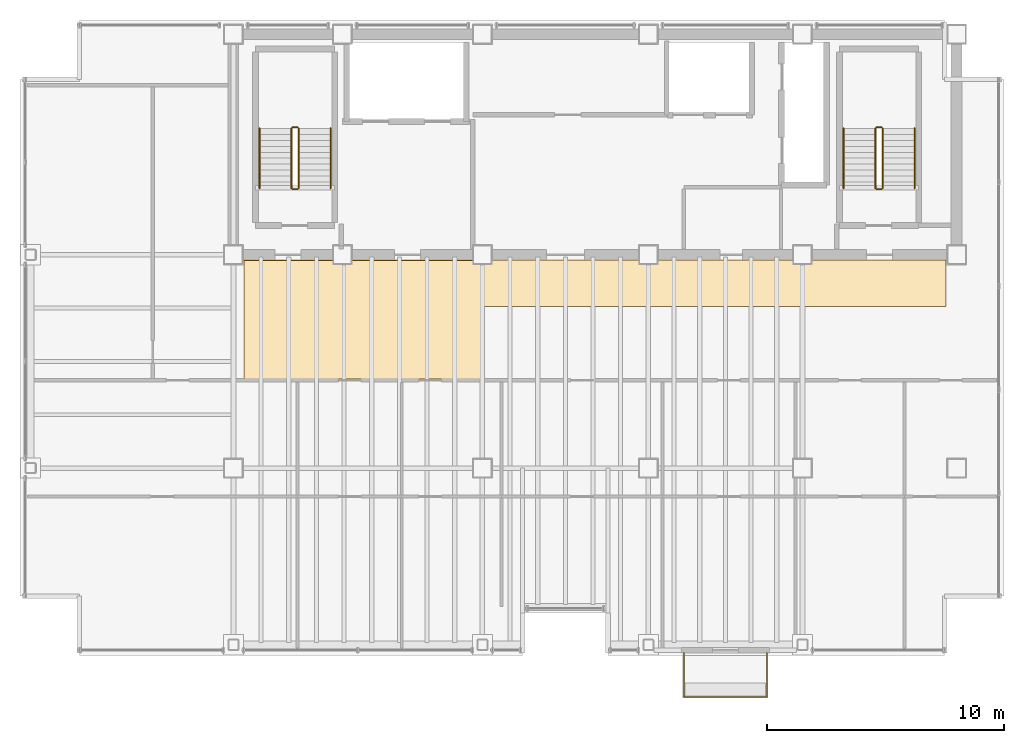
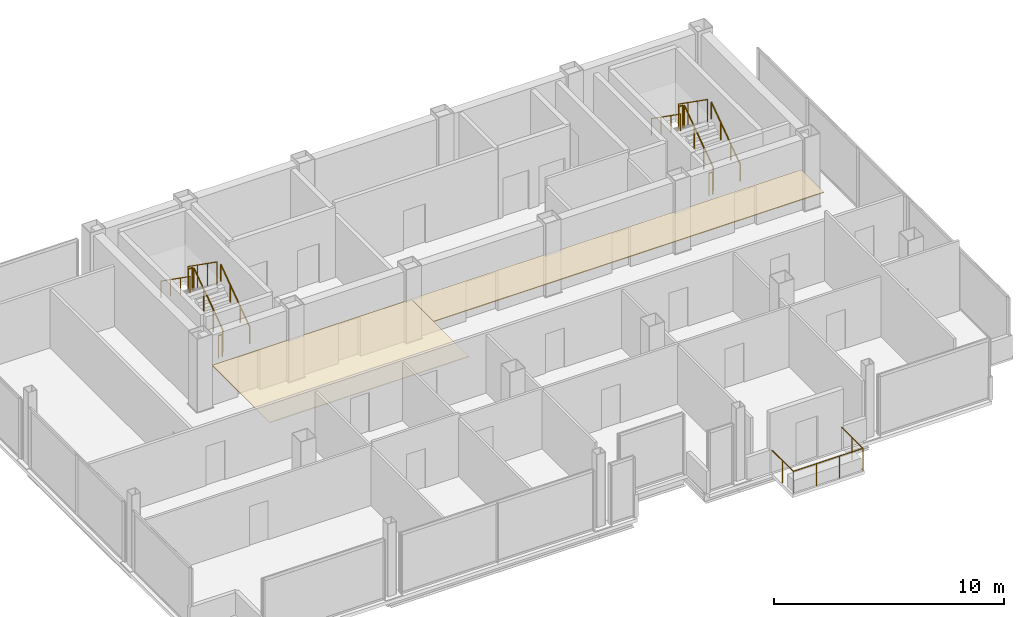
# One storey, part 17 of 17: 13 railings, 2 coverings.
"""IFC4 building model written with IfcOpenShell, lengths in metres."""

import ifcopenshell
import ifcopenshell.guid

model = None  # the IFC model being written
_history = None  # IfcOwnerHistory: only IFC2X3 demands one
_inside = {}  # id of a spatial element -> (the spatial element, [elements in it])
_under = {}  # id of a project, library or spatial element -> (it, [spatial elements below it])
_declared = {}  # id of a project -> (the project, [libraries it declares])
_typed = {}  # id of a type object -> (the type object, [elements of that type])
_made_of = {}  # id of a material, layer set ... -> (it, [elements and type objects made of it])


def new_model(schema):
    """Start an empty IFC model of exactly this schema.

    Asked for "IFC4X3", IfcOpenShell would pick the latest addendum, in which some entities
    have other attributes; the version numbers below select the first issue.
    IFC2X3 requires an IfcOwnerHistory on every rooted entity: one is made here for all.
    """
    global model, _history
    if schema == "IFC4X3":
        model = ifcopenshell.file(schema_version=(4, 3, 0, 0))
    else:
        model = ifcopenshell.file(schema=schema)
    _inside.clear()
    _under.clear()
    _declared.clear()
    _typed.clear()
    _made_of.clear()
    _history = None
    if model.schema == "IFC2X3":
        org = make("IfcOrganization", Name="unknown")
        user = make(
            "IfcPersonAndOrganization",
            ThePerson=make("IfcPerson", FamilyName="unknown"),
            TheOrganization=org,
        )
        app = make(
            "IfcApplication",
            ApplicationDeveloper=org,
            Version="unknown",
            ApplicationFullName="unknown",
            ApplicationIdentifier="unknown",
        )
        _history = make(
            "IfcOwnerHistory",
            OwningUser=user,
            OwningApplication=app,
            ChangeAction="ADDED",
            CreationDate=0,
        )
    return model


def make(cls, **values):
    """One entity of the class cls with the attributes given. An attribute that is None is left unset."""
    return model.create_entity(
        cls, **{name: value for name, value in values.items() if value is not None}
    )


def rooted(cls, **values):
    """An entity with a GlobalId (a new one), such as an element, a storey or a relation."""
    return make(cls, GlobalId=ifcopenshell.guid.new(), OwnerHistory=_history, **values)


def si_unit(unit_type, name, prefix=None):
    """IfcSIUnit, for example si_unit("LENGTHUNIT", "METRE", prefix="MILLI")."""
    return make("IfcSIUnit", UnitType=unit_type, Prefix=prefix, Name=name)


def assignment(units):
    """IfcUnitAssignment: the units of a project."""
    return None if units is None else make("IfcUnitAssignment", Units=units)


def point(xyz):
    """IfcCartesianPoint."""
    return None if xyz is None else make("IfcCartesianPoint", Coordinates=xyz)


def direction(xyz):
    """IfcDirection."""
    return None if xyz is None else make("IfcDirection", DirectionRatios=xyz)


def frame(location, z_axis=None, x_axis=None):
    """IfcAxis2Placement3D, a coordinate frame: its origin and axes. An axis left out is left unset."""
    return make(
        "IfcAxis2Placement3D",
        Location=point(location),
        Axis=direction(z_axis),
        RefDirection=direction(x_axis),
    )


def frame_2d(location, x_axis=None):
    """IfcAxis2Placement2D, a coordinate frame in the plane: its origin and x axis."""
    return make(
        "IfcAxis2Placement2D", Location=point(location), RefDirection=direction(x_axis)
    )


def origin():
    """The frame at (0, 0, 0) with its axes left unset."""
    return frame((0.0, 0.0, 0.0))


def origin_2d():
    """The frame at (0, 0) in the plane with its x axis left unset."""
    return frame_2d((0.0, 0.0))


def place(relative_to, where):
    """IfcLocalPlacement: puts the frame where relative to a parent placement (None: the world)."""
    return make(
        "IfcLocalPlacement", PlacementRelTo=relative_to, RelativePlacement=where
    )


def context(
    kind, dimensions, precision=None, world=None, true_north=None, identifier=None
):
    """IfcGeometricRepresentationContext, for example the 3D "Model" context."""
    return make(
        "IfcGeometricRepresentationContext",
        ContextIdentifier=identifier,
        ContextType=kind,
        CoordinateSpaceDimension=dimensions,
        Precision=precision,
        WorldCoordinateSystem=world,
        TrueNorth=true_north,
    )


def subcontext(parent, identifier, kind, view, scale=None):
    """IfcGeometricRepresentationSubContext, for example "Body" below "Model"."""
    return make(
        "IfcGeometricRepresentationSubContext",
        ContextIdentifier=identifier,
        ContextType=kind,
        ParentContext=parent,
        TargetScale=scale,
        TargetView=view,
    )


def project(units=None, contexts=None):
    """IfcProject with its units and contexts."""
    return rooted(
        "IfcProject",
        Name="project",
        RepresentationContexts=contexts,
        UnitsInContext=assignment(units),
    )


def spatial(cls, under=None, at=None, **own):
    """A site, building, storey or space (cls), placed at a placement, below another one or the project."""
    s = rooted(cls, ObjectPlacement=at, **own)
    if under is not None:
        _under.setdefault(under.id(), (under, []))[1].append(s)
    return s


def polyline(points):
    """IfcPolyline through the points."""
    return make("IfcPolyline", Points=[point(p) for p in points])


def profile(cls, at=None, kind="AREA", **sizes):
    """A parametric profile (cls). Its sizes go by their IFC names, for example OverallWidth=200.0."""
    return make(cls, ProfileType=kind, Position=at, **sizes)


def circle(**sizes):
    """IfcCircleProfileDef."""
    return profile("IfcCircleProfileDef", **sizes)


def outline(outer, holes=None, kind="AREA"):
    """IfcArbitraryClosedProfileDef: a profile drawn as a closed curve; with holes, ...WithVoids."""
    if holes is None:
        return make("IfcArbitraryClosedProfileDef", ProfileType=kind, OuterCurve=outer)
    return make(
        "IfcArbitraryProfileDefWithVoids",
        ProfileType=kind,
        OuterCurve=outer,
        InnerCurves=holes,
    )


def extrude(swept, where, along, depth):
    """IfcExtrudedAreaSolid: the profile swept, set in the frame where, extruded along a direction by depth."""
    return make(
        "IfcExtrudedAreaSolid",
        SweptArea=swept,
        Position=where,
        ExtrudedDirection=direction(along),
        Depth=depth,
    )


def shape(context_of_items, identifier, shape_type, items):
    """IfcShapeRepresentation: the items that make up one representation, for example the "Body"."""
    return make(
        "IfcShapeRepresentation",
        ContextOfItems=context_of_items,
        RepresentationIdentifier=identifier,
        RepresentationType=shape_type,
        Items=items,
    )


def material(Name=None, Category=None):
    """IfcMaterial."""
    return make("IfcMaterial", Name=Name, Category=Category)


def layer(
    of_material, thickness, ventilated=None, Name=None, Category=None, Priority=None
):
    """IfcMaterialLayer: one layer of a wall or slab, of a material (None: an air gap)."""
    return make(
        "IfcMaterialLayer",
        Material=of_material,
        LayerThickness=thickness,
        IsVentilated=ventilated,
        Name=Name,
        Category=Category,
        Priority=Priority,
    )


def layer_set(layers, Name=None):
    """IfcMaterialLayerSet."""
    return make("IfcMaterialLayerSet", MaterialLayers=layers, LayerSetName=Name)


def made_of(thing, what):
    """Note that an element or type object is made of a material, layer set ...; save() writes the relation."""
    if what is not None:
        _made_of.setdefault(what.id(), (what, []))[1].append(thing)
    return thing


def type_object(cls, material=None, **own):
    """A type object (cls), such as IfcWallType, which elements share."""
    return made_of(rooted(cls, **own), material)


def element(
    cls,
    number,
    at=None,
    inside=None,
    cuts=None,
    type_object=None,
    material=None,
    context=None,
    identifier="Body",
    shape_type=None,
    held_by="IfcProductDefinitionShape",
    body=None,
    shapes=None,
    **own,
):
    """One element of the class cls, such as IfcWall. Its Tag is "e" and its number.

    at: its placement. inside: the storey or other place that contains it. cuts: it is an
    opening in that element (IfcRelVoidsElement). A single representation is given by context,
    identifier, shape_type and body (its items); several are given by shapes. held_by: the class
    of the entity that holds the representations. save() writes the other relations.
    """
    e = rooted(cls, Tag="e%d" % number, ObjectPlacement=at, **own)
    if body is not None:
        shapes = [shape(context, identifier, shape_type, body)]
    if shapes is not None:
        e.Representation = make(held_by, Representations=shapes)
    if inside is not None:
        _inside.setdefault(inside.id(), (inside, []))[1].append(e)
    if cuts is not None:
        rooted(
            "IfcRelVoidsElement", RelatingBuildingElement=cuts, RelatedOpeningElement=e
        )
    if type_object is not None:
        _typed.setdefault(type_object.id(), (type_object, []))[1].append(e)
    return made_of(e, material)


def aggregate(whole, parts):
    """IfcRelAggregates: a whole, such as a stair, and the parts it consists of."""
    return rooted("IfcRelAggregates", RelatingObject=whole, RelatedObjects=parts)


def save(model, path):
    """Write the relations noted so far, then the file.

    IfcRelAggregates (storeys below a building ...), IfcRelContainedInSpatialStructure (elements
    in a storey), IfcRelDefinesByType, IfcRelAssociatesMaterial and IfcRelDeclares: one each for
    every whole, place, type object, material and project.
    """
    for whole, parts in _under.values():
        aggregate(whole, parts)
    for where, things in _inside.values():
        rooted(
            "IfcRelContainedInSpatialStructure",
            RelatedElements=things,
            RelatingStructure=where,
        )
    for kind, things in _typed.values():
        rooted("IfcRelDefinesByType", RelatedObjects=things, RelatingType=kind)
    for what, things in _made_of.values():
        rooted("IfcRelAssociatesMaterial", RelatedObjects=things, RelatingMaterial=what)
    for by, libraries in _declared.values():
        rooted("IfcRelDeclares", RelatingContext=by, RelatedDefinitions=libraries)
    model.write(path)


model = new_model("IFC4")

# Units and contexts
model_context = context("Model", 3, precision=1e-05, world=origin(), true_north=direction((0.0, 1.0)))
body_context = subcontext(model_context, "Body", "Model", "MODEL_VIEW")
ifc_project = project(units=[si_unit("LENGTHUNIT", "METRE"), si_unit("AREAUNIT", "SQUARE_METRE"), si_unit("VOLUMEUNIT", "CUBIC_METRE"), si_unit("PLANEANGLEUNIT", "RADIAN"), si_unit("MASSUNIT", "GRAM", prefix="KILO")], contexts=[model_context])

# Site, building, storey
site_placement = place(None, origin())
site = spatial("IfcSite", under=ifc_project, at=site_placement, CompositionType="ELEMENT")
building_placement = place(site_placement, origin())
building = spatial("IfcBuilding", under=site, at=building_placement, Name="Noeulbin Bourse Tower", CompositionType="ELEMENT")
storey_placement = place(building_placement, frame((0.0, 0.0, 250.10009765625)))
storey = spatial("IfcBuildingStorey", under=building, at=storey_placement, Name="L62", CompositionType="ELEMENT", Elevation=250.10009765625)

# Coverings
ifc_material_1 = material(Name="Perforated Mineral-Fibre Acoustic Tile")
ifc_layer_1 = layer(ifc_material_1, 0.0400390625)
ifc_layer_set_1 = layer_set([ifc_layer_1], Name="Perforated Mineral-Fibre Acoustic Tile")
covering_type_1 = type_object("IfcCoveringType", Name="COV-CEIL-ACT", PredefinedType="CEILING", material=ifc_layer_set_1)
covering_1_placement = place(storey_placement, frame((0.0, 0.0, 2.10986328125)))
element("IfcCovering", 1, at=covering_1_placement, inside=storey, type_object=covering_type_1, Name="Trading Suite Acoustic Ceiling L62", PredefinedType="CEILING", context=body_context, shape_type="SweptSolid", body=[
    extrude(outline(polyline([(13.949951171875, 23.75), (23.949951171875, 23.75), (23.949951171875, 28.75), (13.949951171875, 28.75), (13.949951171875, 23.75)])), origin(), (0.0, 0.0, 1.0), 0.0400390625),
])
ifc_material_2 = material(Name="Linear Anodised Aluminium Baffle Ceiling", Category="aluminium")
ifc_layer_2 = layer(ifc_material_2, 0.050048828125)
ifc_layer_set_2 = layer_set([ifc_layer_2], Name="Linear Anodised Aluminium Baffle Ceiling")
covering_type_2 = type_object("IfcCoveringType", Name="COV-CEIL-MTL", PredefinedType="CEILING", material=ifc_layer_set_2)
covering_2_placement = place(storey_placement, frame((0.0, 0.0, 2.10986328125)))
element("IfcCovering", 2, at=covering_2_placement, inside=storey, type_object=covering_type_2, Name="Corridor Suspended Ceiling L62", PredefinedType="CEILING", context=body_context, shape_type="SweptSolid", body=[
    extrude(outline(polyline([(13.949951171875, 26.820068359375), (43.550048828125, 26.820068359375), (43.550048828125, 28.780029296875), (13.949951171875, 28.780029296875), (13.949951171875, 26.820068359375)])), origin(), (0.0, 0.0, 1.0), 0.0400390625),
])

# Railings
ifc_material_3 = material(Name="Laminated SentryGlas and Stainless Steel 316", Category="steel")
ifc_layer_3 = layer(ifc_material_3, 0.06005859375)
ifc_layer_set_3 = layer_set([ifc_layer_3], Name="Laminated SentryGlas and Stainless Steel 316")
railing_type_1 = type_object("IfcRailingType", Name="RLG-BAL-1200", PredefinedType="BALUSTRADE", material=ifc_layer_set_3)
railing_1_placement = place(storey_placement, frame((32.5, 12.219970703125, 0.0)))
element("IfcRailing", 3, at=railing_1_placement, inside=storey, type_object=railing_type_1, Name="Tree-Balcony Glazed Balustrade L62", PredefinedType="BALUSTRADE", context=body_context, shape_type="SweptSolid", body=[
    extrude(circle(Radius=0.02392578125, at=origin_2d()), frame((0.0, 0.0, 1.17578125), z_axis=(0.0, -1.0, 0.0), x_axis=(1.0, 0.0, 0.0)), (0.0, 0.0, 1.0), 1.869873046875),
    extrude(circle(Radius=0.02392578125, at=origin_2d()), frame((0.0, -1.869873046875, 1.17578125), z_axis=(1.0, 0.0, 0.0), x_axis=(0.0, 1.0, 0.0)), (0.0, 0.0, 1.0), 3.5),
    extrude(circle(Radius=0.02392578125, at=origin_2d()), frame((3.5, -1.869873046875, 1.17578125), z_axis=(0.0, 1.0, 0.0), x_axis=(-1.0, 0.0, 0.0)), (0.0, 0.0, 1.0), 1.869873046875),
    extrude(circle(Radius=0.02099609375, at=origin_2d()), origin(), (0.0, 0.0, 1.0), 1.15185546875),
    extrude(circle(Radius=0.02099609375, at=origin_2d()), frame((0.0, -0.93505859375, 0.0)), (0.0, 0.0, 1.0), 1.15185546875),
    extrude(circle(Radius=0.02099609375, at=origin_2d()), frame((0.0, -1.869873046875, 0.0)), (0.0, 0.0, 1.0), 1.15185546875),
    extrude(circle(Radius=0.02099609375, at=origin_2d()), frame((1.166748046875, -1.869873046875, 0.0)), (0.0, 0.0, 1.0), 1.15185546875),
    extrude(circle(Radius=0.02099609375, at=origin_2d()), frame((2.333251953125, -1.869873046875, 0.0)), (0.0, 0.0, 1.0), 1.15185546875),
    extrude(circle(Radius=0.02099609375, at=origin_2d()), frame((3.5, -1.869873046875, 0.0)), (0.0, 0.0, 1.0), 1.15185546875),
    extrude(circle(Radius=0.02099609375, at=origin_2d()), frame((3.5, -0.93505859375, 0.0)), (0.0, 0.0, 1.0), 1.15185546875),
    extrude(circle(Radius=0.02099609375, at=origin_2d()), frame((3.5, 0.0, 0.0)), (0.0, 0.0, 1.0), 1.15185546875),
])
ifc_material_4 = material(Name="Painted Tubular Steel S355", Category="steel")
ifc_layer_4 = layer(ifc_material_4, 0.048095703125)
ifc_layer_set_4 = layer_set([ifc_layer_4], Name="Painted Tubular Steel S355")
railing_type_2 = type_object("IfcRailingType", Name="RLG-STR-GRD", PredefinedType="GUARDRAIL", material=ifc_layer_set_4)
railing_2_placement = place(storey_placement, frame((16.25, 31.81005859375, 0.17724609375)))
element("IfcRailing", 4, at=railing_2_placement, inside=storey, type_object=railing_type_2, Name="L62 ST-1 stair guard 1", PredefinedType="GUARDRAIL", context=body_context, shape_type="SweptSolid", body=[
    extrude(circle(Radius=0.02392578125, at=origin_2d()), frame((0.0, 0.0, 1.17578125), z_axis=(0.0, 0.817904474719, 0.575354039036), x_axis=(-1.0, 0.0, 0.0)), (0.0, 0.0, 1.0), 3.0810546875),
    extrude(circle(Radius=0.02099609375, at=origin_2d()), origin(), (0.0, 0.0, 1.0), 1.15185546875),
    extrude(circle(Radius=0.02099609375, at=origin_2d()), frame((0.0, 0.840087890625, 0.5908203125)), (0.0, 0.0, 1.0), 1.15185546875),
    extrude(circle(Radius=0.02099609375, at=origin_2d()), frame((0.0, 1.679931640625, 1.181884765625)), (0.0, 0.0, 1.0), 1.15185546875),
    extrude(circle(Radius=0.02099609375, at=origin_2d()), frame((0.0, 2.52001953125, 1.772705078125)), (0.0, 0.0, 1.0), 1.15185546875),
])
railing_3_placement = place(storey_placement, frame((16.199951171875, 34.3798828125, 1.949951171875)))
element("IfcRailing", 5, at=railing_3_placement, inside=storey, type_object=railing_type_2, Name="L62 ST-1 stair guard 2", PredefinedType="GUARDRAIL", context=body_context, shape_type="SweptSolid", body=[
    extrude(circle(Radius=0.02392578125, at=origin_2d()), frame((0.0, 0.0, 1.17578125), z_axis=(-1.0, 0.0, 0.0), x_axis=(0.0, -1.0, 0.0)), (0.0, 0.0, 1.0), 0.199951171875),
    extrude(circle(Radius=0.02099609375, at=origin_2d()), origin(), (0.0, 0.0, 1.0), 1.15185546875),
    extrude(circle(Radius=0.02099609375, at=origin_2d()), frame((-0.199951171875, 0.0, 0.0)), (0.0, 0.0, 1.0), 1.15185546875),
])
railing_4_placement = place(storey_placement, frame((15.949951171875, 34.330078125, 2.127197265625)))
element("IfcRailing", 6, at=railing_4_placement, inside=storey, type_object=railing_type_2, Name="L62 ST-1 stair guard 3", PredefinedType="GUARDRAIL", context=body_context, shape_type="SweptSolid", body=[
    extrude(circle(Radius=0.02392578125, at=origin_2d()), frame((0.0, 0.0, 1.17578125), z_axis=(0.0, -0.817904474719, 0.575354039036), x_axis=(1.0, 0.0, 0.0)), (0.0, 0.0, 1.0), 3.0810546875),
    extrude(circle(Radius=0.02099609375, at=origin_2d()), origin(), (0.0, 0.0, 1.0), 1.15185546875),
    extrude(circle(Radius=0.02099609375, at=origin_2d()), frame((0.0, -0.840087890625, 0.5908203125)), (0.0, 0.0, 1.0), 1.15185546875),
    extrude(circle(Radius=0.02099609375, at=origin_2d()), frame((0.0, -1.679931640625, 1.181884765625)), (0.0, 0.0, 1.0), 1.15185546875),
    extrude(circle(Radius=0.02099609375, at=origin_2d()), frame((0.0, -2.52001953125, 1.772705078125)), (0.0, 0.0, 1.0), 1.15185546875),
])
railing_5_placement = place(storey_placement, frame((16.199951171875, 31.760009765625, 0.0)))
element("IfcRailing", 7, at=railing_5_placement, inside=storey, type_object=railing_type_2, Name="L62 ST-1 stair guard 4", PredefinedType="GUARDRAIL", context=body_context, shape_type="SweptSolid", body=[
    extrude(circle(Radius=0.02392578125, at=origin_2d()), frame((0.0, 0.0, 1.17578125), z_axis=(-1.0, 0.0, 0.0), x_axis=(0.0, -1.0, 0.0)), (0.0, 0.0, 1.0), 0.199951171875),
    extrude(circle(Radius=0.02099609375, at=origin_2d()), origin(), (0.0, 0.0, 1.0), 1.15185546875),
    extrude(circle(Radius=0.02099609375, at=origin_2d()), frame((-0.199951171875, 0.0, 0.0)), (0.0, 0.0, 1.0), 1.15185546875),
])
railing_6_placement = place(storey_placement, frame((40.8798828125, 31.81005859375, 0.17724609375)))
element("IfcRailing", 8, at=railing_6_placement, inside=storey, type_object=railing_type_2, Name="L62 ST-2 stair guard 1", PredefinedType="GUARDRAIL", context=body_context, shape_type="SweptSolid", body=[
    extrude(circle(Radius=0.02392578125, at=origin_2d()), frame((0.0, 0.0, 1.17578125), z_axis=(0.0, 0.817904474719, 0.575354039036), x_axis=(-1.0, 0.0, 0.0)), (0.0, 0.0, 1.0), 3.0810546875),
    extrude(circle(Radius=0.02099609375, at=origin_2d()), origin(), (0.0, 0.0, 1.0), 1.15185546875),
    extrude(circle(Radius=0.02099609375, at=origin_2d()), frame((0.0, 0.840087890625, 0.5908203125)), (0.0, 0.0, 1.0), 1.15185546875),
    extrude(circle(Radius=0.02099609375, at=origin_2d()), frame((0.0, 1.679931640625, 1.181884765625)), (0.0, 0.0, 1.0), 1.15185546875),
    extrude(circle(Radius=0.02099609375, at=origin_2d()), frame((0.0, 2.52001953125, 1.772705078125)), (0.0, 0.0, 1.0), 1.15185546875),
])
railing_7_placement = place(storey_placement, frame((40.830078125, 34.3798828125, 1.949951171875)))
element("IfcRailing", 9, at=railing_7_placement, inside=storey, type_object=railing_type_2, Name="L62 ST-2 stair guard 2", PredefinedType="GUARDRAIL", context=body_context, shape_type="SweptSolid", body=[
    extrude(circle(Radius=0.02392578125, at=origin_2d()), frame((0.0, 0.0, 1.17578125), z_axis=(-1.0, 0.0, 0.0), x_axis=(0.0, -1.0, 0.0)), (0.0, 0.0, 1.0), 0.2001953125),
    extrude(circle(Radius=0.02099609375, at=origin_2d()), origin(), (0.0, 0.0, 1.0), 1.15185546875),
    extrude(circle(Radius=0.02099609375, at=origin_2d()), frame((-0.2001953125, 0.0, 0.0)), (0.0, 0.0, 1.0), 1.15185546875),
])
railing_8_placement = place(storey_placement, frame((40.580078125, 34.330078125, 2.127197265625)))
element("IfcRailing", 10, at=railing_8_placement, inside=storey, type_object=railing_type_2, Name="L62 ST-2 stair guard 3", PredefinedType="GUARDRAIL", context=body_context, shape_type="SweptSolid", body=[
    extrude(circle(Radius=0.02392578125, at=origin_2d()), frame((0.0, 0.0, 1.17578125), z_axis=(0.0, -0.817904474719, 0.575354039036), x_axis=(1.0, 0.0, 0.0)), (0.0, 0.0, 1.0), 3.0810546875),
    extrude(circle(Radius=0.02099609375, at=origin_2d()), origin(), (0.0, 0.0, 1.0), 1.15185546875),
    extrude(circle(Radius=0.02099609375, at=origin_2d()), frame((0.0, -0.840087890625, 0.5908203125)), (0.0, 0.0, 1.0), 1.15185546875),
    extrude(circle(Radius=0.02099609375, at=origin_2d()), frame((0.0, -1.679931640625, 1.181884765625)), (0.0, 0.0, 1.0), 1.15185546875),
    extrude(circle(Radius=0.02099609375, at=origin_2d()), frame((0.0, -2.52001953125, 1.772705078125)), (0.0, 0.0, 1.0), 1.15185546875),
])
railing_9_placement = place(storey_placement, frame((40.830078125, 31.760009765625, 0.0)))
element("IfcRailing", 11, at=railing_9_placement, inside=storey, type_object=railing_type_2, Name="L62 ST-2 stair guard 4", PredefinedType="GUARDRAIL", context=body_context, shape_type="SweptSolid", body=[
    extrude(circle(Radius=0.02392578125, at=origin_2d()), frame((0.0, 0.0, 1.17578125), z_axis=(-1.0, 0.0, 0.0), x_axis=(0.0, -1.0, 0.0)), (0.0, 0.0, 1.0), 0.2001953125),
    extrude(circle(Radius=0.02099609375, at=origin_2d()), origin(), (0.0, 0.0, 1.0), 1.15185546875),
    extrude(circle(Radius=0.02099609375, at=origin_2d()), frame((-0.2001953125, 0.0, 0.0)), (0.0, 0.0, 1.0), 1.15185546875),
])
ifc_material_5 = material(Name="Brushed Stainless Steel 316", Category="steel")
ifc_layer_5 = layer(ifc_material_5, 0.048095703125)
ifc_layer_set_5 = layer_set([ifc_layer_5], Name="Brushed Stainless Steel 316")
railing_type_3 = type_object("IfcRailingType", Name="RLG-STR-HND", PredefinedType="HANDRAIL", material=ifc_layer_set_5)
railing_10_placement = place(storey_placement, frame((17.60009765625, 31.81005859375, 0.17724609375)))
element("IfcRailing", 12, at=railing_10_placement, inside=storey, type_object=railing_type_3, Name="L62 ST-1 stair handrail 1", PredefinedType="HANDRAIL", context=body_context, shape_type="SweptSolid", body=[
    extrude(circle(Radius=0.02392578125, at=origin_2d()), frame((0.0, 0.0, 0.8759765625), z_axis=(0.0, 0.817904474719, 0.575354039036), x_axis=(-1.0, 0.0, 0.0)), (0.0, 0.0, 1.0), 3.0810546875),
    extrude(circle(Radius=0.02099609375, at=origin_2d()), origin(), (0.0, 0.0, 1.0), 0.851806640625),
    extrude(circle(Radius=0.02099609375, at=origin_2d()), frame((0.0, 0.840087890625, 0.5908203125)), (0.0, 0.0, 1.0), 0.851806640625),
    extrude(circle(Radius=0.02099609375, at=origin_2d()), frame((0.0, 1.679931640625, 1.181884765625)), (0.0, 0.0, 1.0), 0.851806640625),
    extrude(circle(Radius=0.02099609375, at=origin_2d()), frame((0.0, 2.52001953125, 1.772705078125)), (0.0, 0.0, 1.0), 0.851806640625),
])
railing_11_placement = place(storey_placement, frame((14.60009765625, 34.330078125, 2.127197265625)))
element("IfcRailing", 13, at=railing_11_placement, inside=storey, type_object=railing_type_3, Name="L62 ST-1 stair handrail 2", PredefinedType="HANDRAIL", context=body_context, shape_type="SweptSolid", body=[
    extrude(circle(Radius=0.02392578125, at=origin_2d()), frame((0.0, 0.0, 0.8759765625), z_axis=(0.0, -0.817904474719, 0.575354039036), x_axis=(1.0, 0.0, 0.0)), (0.0, 0.0, 1.0), 3.0810546875),
    extrude(circle(Radius=0.02099609375, at=origin_2d()), origin(), (0.0, 0.0, 1.0), 0.851806640625),
    extrude(circle(Radius=0.02099609375, at=origin_2d()), frame((0.0, -0.840087890625, 0.5908203125)), (0.0, 0.0, 1.0), 0.851806640625),
    extrude(circle(Radius=0.02099609375, at=origin_2d()), frame((0.0, -1.679931640625, 1.181884765625)), (0.0, 0.0, 1.0), 0.851806640625),
    extrude(circle(Radius=0.02099609375, at=origin_2d()), frame((0.0, -2.52001953125, 1.772705078125)), (0.0, 0.0, 1.0), 0.851806640625),
])
railing_12_placement = place(storey_placement, frame((42.22998046875, 31.81005859375, 0.17724609375)))
element("IfcRailing", 14, at=railing_12_placement, inside=storey, type_object=railing_type_3, Name="L62 ST-2 stair handrail 1", PredefinedType="HANDRAIL", context=body_context, shape_type="SweptSolid", body=[
    extrude(circle(Radius=0.02392578125, at=origin_2d()), frame((0.0, 0.0, 0.8759765625), z_axis=(0.0, 0.817904474719, 0.575354039036), x_axis=(-1.0, 0.0, 0.0)), (0.0, 0.0, 1.0), 3.0810546875),
    extrude(circle(Radius=0.02099609375, at=origin_2d()), origin(), (0.0, 0.0, 1.0), 0.851806640625),
    extrude(circle(Radius=0.02099609375, at=origin_2d()), frame((0.0, 0.840087890625, 0.5908203125)), (0.0, 0.0, 1.0), 0.851806640625),
    extrude(circle(Radius=0.02099609375, at=origin_2d()), frame((0.0, 1.679931640625, 1.181884765625)), (0.0, 0.0, 1.0), 0.851806640625),
    extrude(circle(Radius=0.02099609375, at=origin_2d()), frame((0.0, 2.52001953125, 1.772705078125)), (0.0, 0.0, 1.0), 0.851806640625),
])
railing_13_placement = place(storey_placement, frame((39.22998046875, 34.330078125, 2.127197265625)))
element("IfcRailing", 15, at=railing_13_placement, inside=storey, type_object=railing_type_3, Name="L62 ST-2 stair handrail 2", PredefinedType="HANDRAIL", context=body_context, shape_type="SweptSolid", body=[
    extrude(circle(Radius=0.02392578125, at=origin_2d()), frame((0.0, 0.0, 0.8759765625), z_axis=(0.0, -0.817904474719, 0.575354039036), x_axis=(1.0, 0.0, 0.0)), (0.0, 0.0, 1.0), 3.0810546875),
    extrude(circle(Radius=0.02099609375, at=origin_2d()), origin(), (0.0, 0.0, 1.0), 0.851806640625),
    extrude(circle(Radius=0.02099609375, at=origin_2d()), frame((0.0, -0.840087890625, 0.5908203125)), (0.0, 0.0, 1.0), 0.851806640625),
    extrude(circle(Radius=0.02099609375, at=origin_2d()), frame((0.0, -1.679931640625, 1.181884765625)), (0.0, 0.0, 1.0), 0.851806640625),
    extrude(circle(Radius=0.02099609375, at=origin_2d()), frame((0.0, -2.52001953125, 1.772705078125)), (0.0, 0.0, 1.0), 0.851806640625),
])

save(model, "model.ifc")
